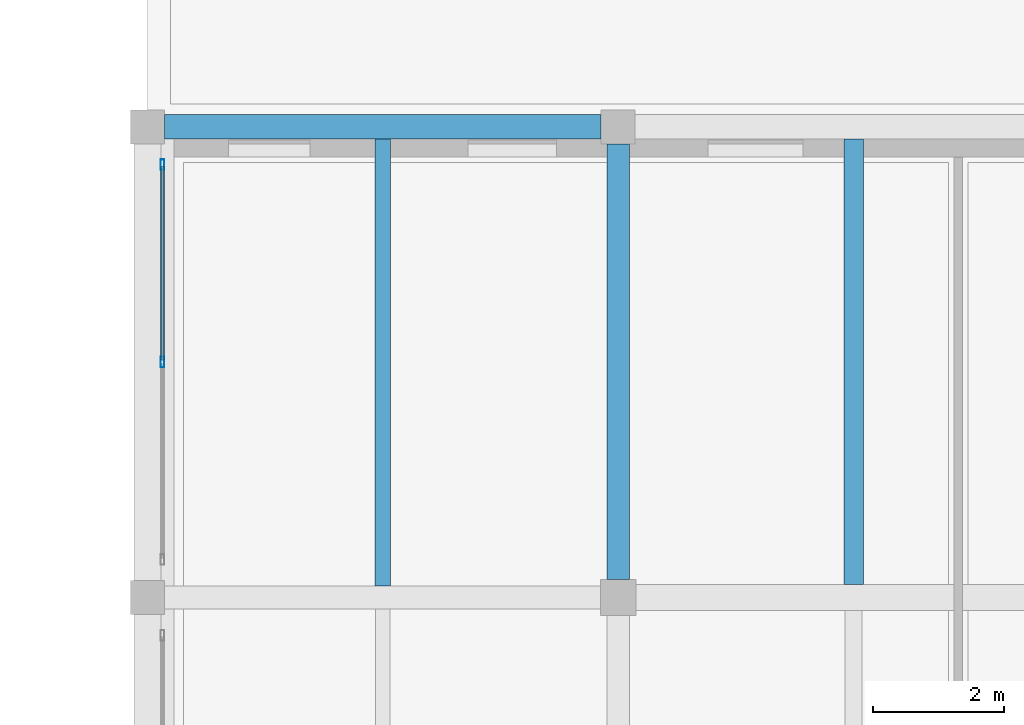
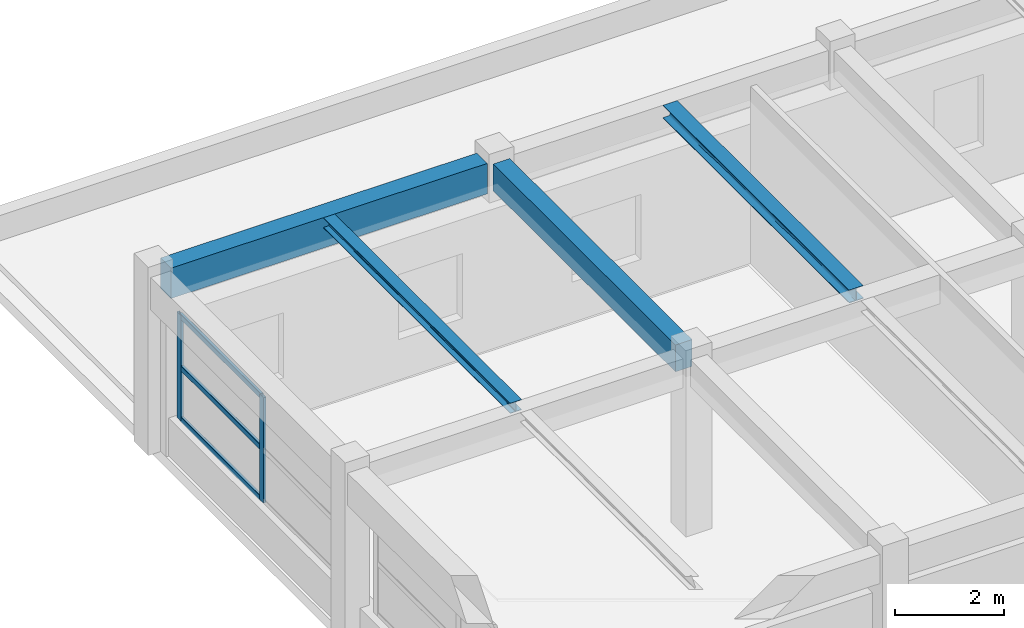
# One storey, part 38 of 67: 5 members, 4 beams, 1 element without a shape of its own.
"""IFC4 building model written with IfcOpenShell, lengths in metres."""

from ifc_helpers import new_model, si_unit, direction, frame, origin, origin_2d, place, context, subcontext, project, spatial, rectangle, hollow_rectangle, i_section, extrude, material, material_profile, profile_set, type_object, element, aggregate, save


model = new_model("IFC4")

# Units and contexts
model_context = context("Model", 3, precision=1e-05, world=origin(), true_north=direction((0.0, 1.0)))
body_context = subcontext(model_context, "Body", "Model", "MODEL_VIEW")
ifc_project = project(units=[si_unit("LENGTHUNIT", "METRE"), si_unit("AREAUNIT", "SQUARE_METRE"), si_unit("VOLUMEUNIT", "CUBIC_METRE"), si_unit("PLANEANGLEUNIT", "RADIAN"), si_unit("MASSUNIT", "GRAM", prefix="KILO")], contexts=[model_context])

# Site, building, storey
site_placement = place(None, origin())
site = spatial("IfcSite", under=ifc_project, at=site_placement, CompositionType="ELEMENT")
building_placement = place(site_placement, origin())
building = spatial("IfcBuilding", under=site, at=building_placement, Name="Bramveld Media Centre", CompositionType="ELEMENT")
storey_placement = place(building_placement, frame((0.0, 0.0, 5.39990234375)))
storey = spatial("IfcBuildingStorey", under=building, at=storey_placement, Name="L01", CompositionType="ELEMENT", Elevation=5.39990234375)

# Beam
ifc_material_1 = material(Name="Concrete C40/50", Category="concrete")
ifc_material_profile_1 = material_profile(ifc_material_1, rectangle(XDim=0.35009765625, YDim=0.60009765625, at=origin_2d()), Name="RC 350x600")
ifc_profile_set_1 = profile_set([ifc_material_profile_1], Name="Concrete C40/50")
beam_type_1 = type_object("IfcBeamType", Name="BM-INT-RC-350x600", PredefinedType="BEAM", material=ifc_profile_set_1)
beam_1_placement = place(storey_placement, frame((138.39990234375, 53.875, 3.66015625), z_axis=(0.0, 1.0, 0.0), x_axis=(-1.0, 0.0, 0.0)))
element("IfcBeam", 1, at=beam_1_placement, inside=storey, type_object=beam_type_1, Name="V4 L01 girder Y-541", PredefinedType="BEAM", context=body_context, shape_type="SweptSolid", body=[
    extrude(rectangle(XDim=0.35009765625, YDim=0.60009765625, at=origin_2d()), origin(), (0.0, 0.0, 1.0), 6.6650390625),
])

# Curtain wall, members
ifc_material_2 = material(Name="Thermally broken anodized bronze aluminium unitized curtain wall with solar-control triple glazing", Category="aluminium")
curtain_wall_type = type_object("IfcCurtainWallType", Name="CW-FACV4-6100x2350", PredefinedType="NOTDEFINED", material=ifc_material_2)
curtain_wall_placement = place(storey_placement, origin())
curtain_wall = element("IfcCurtainWall", 2, at=curtain_wall_placement, inside=storey, type_object=curtain_wall_type, Name="V4 L01 W curtain wall bay 3", PredefinedType="NOTDEFINED")
ifc_material_3 = material(Name="Thermally broken anodized bronze aluminium EN AW-6063 T6 curtain-wall framing", Category="aluminium")
ifc_material_profile_2 = material_profile(ifc_material_3, hollow_rectangle(XDim=0.06005859375, YDim=0.159912109375, WallThickness=0.00390625, InnerFilletRadius=0.00390625, OuterFilletRadius=0.008056640625, at=origin_2d()), Name="AL-MULL 60x160")
ifc_profile_set_2 = profile_set([ifc_material_profile_2], Name="Thermally broken anodized bronze aluminium EN AW-6063 T6 curtain-wall framing")
member_type_1 = type_object("IfcMemberType", Name="CW-MULL-EXT", PredefinedType="MULLION", material=ifc_profile_set_2)
member_1_placement = place(storey_placement, frame((131.429931640625, 57.199951171875, 0.85009765625), z_axis=(0.0, 0.0, 1.0), x_axis=(-1.0, 0.0, 0.0)))
member_1 = element("IfcMember", 3, at=member_1_placement, type_object=member_type_1, Name="CW-FA-6123 mullion 2", PredefinedType="MULLION", context=body_context, shape_type="SweptSolid", body=[
    extrude(hollow_rectangle(XDim=0.06005859375, YDim=0.159912109375, WallThickness=0.00390625, InnerFilletRadius=0.00390625, OuterFilletRadius=0.008056640625, at=origin_2d()), origin(), (0.0, 0.0, 1.0), 2.35009765625),
])
member_2_placement = place(storey_placement, frame((131.429931640625, 60.219970703125, 0.85009765625), z_axis=(0.0, 0.0, 1.0), x_axis=(-1.0, 0.0, 0.0)))
member_2 = element("IfcMember", 4, at=member_2_placement, type_object=member_type_1, Name="CW-FA-6123 mullion 3", PredefinedType="MULLION", context=body_context, shape_type="SweptSolid", body=[
    extrude(hollow_rectangle(XDim=0.06005859375, YDim=0.159912109375, WallThickness=0.00390625, InnerFilletRadius=0.00390625, OuterFilletRadius=0.008056640625, at=origin_2d()), origin(), (0.0, 0.0, 1.0), 2.35009765625),
])
ifc_material_4 = material(Name="Thermally broken anodized bronze aluminium EN AW-6063 T6 curtain-wall framing", Category="aluminium")
ifc_material_profile_3 = material_profile(ifc_material_4, hollow_rectangle(XDim=0.06005859375, YDim=0.1201171875, WallThickness=0.00341796875, InnerFilletRadius=0.00341796875, OuterFilletRadius=0.007080078125, at=origin_2d()), Name="AL-TRAN 60x120")
ifc_profile_set_3 = profile_set([ifc_material_profile_3], Name="Thermally broken anodized bronze aluminium EN AW-6063 T6 curtain-wall framing")
member_type_2 = type_object("IfcMemberType", Name="CW-TRAN-EXT", PredefinedType="USERDEFINED", material=ifc_profile_set_3)
member_3_placement = place(storey_placement, frame((131.429931640625, 57.22998046875, 0.880126953125), z_axis=(0.0, 1.0, 0.0), x_axis=(-1.0, 0.0, 0.0)))
member_3 = element("IfcMember", 5, at=member_3_placement, type_object=member_type_2, Name="CW-FA-6123 transom 2.1", ObjectType="TRANSOM", PredefinedType="USERDEFINED", context=body_context, shape_type="SweptSolid", body=[
    extrude(hollow_rectangle(XDim=0.06005859375, YDim=0.1201171875, WallThickness=0.00341796875, InnerFilletRadius=0.00341796875, OuterFilletRadius=0.007080078125, at=origin_2d()), origin(), (0.0, 0.0, 1.0), 2.9599609375),
])
member_4_placement = place(storey_placement, frame((131.429931640625, 57.22998046875, 2.025146484375), z_axis=(0.0, 1.0, 0.0), x_axis=(-1.0, 0.0, 0.0)))
member_4 = element("IfcMember", 6, at=member_4_placement, type_object=member_type_2, Name="CW-FA-6123 transom 2.2", ObjectType="TRANSOM", PredefinedType="USERDEFINED", context=body_context, shape_type="SweptSolid", body=[
    extrude(hollow_rectangle(XDim=0.06005859375, YDim=0.1201171875, WallThickness=0.00341796875, InnerFilletRadius=0.00341796875, OuterFilletRadius=0.007080078125, at=origin_2d()), origin(), (0.0, 0.0, 1.0), 2.9599609375),
])
member_5_placement = place(storey_placement, frame((131.429931640625, 57.22998046875, 3.170166015625), z_axis=(0.0, 1.0, 0.0), x_axis=(-1.0, 0.0, 0.0)))
member_5 = element("IfcMember", 7, at=member_5_placement, type_object=member_type_2, Name="CW-FA-6123 transom 2.3", ObjectType="TRANSOM", PredefinedType="USERDEFINED", context=body_context, shape_type="SweptSolid", body=[
    extrude(hollow_rectangle(XDim=0.06005859375, YDim=0.1201171875, WallThickness=0.00341796875, InnerFilletRadius=0.00341796875, OuterFilletRadius=0.007080078125, at=origin_2d()), origin(), (0.0, 0.0, 1.0), 2.9599609375),
])
aggregate(curtain_wall, [member_1, member_2, member_3, member_4, member_5])

# Beams
ifc_material_5 = material(Name="Steel S355J2", Category="steel")
ifc_material_profile_4 = material_profile(ifc_material_5, i_section(OverallWidth=0.239990234375, OverallDepth=0.22998046875, WebThickness=0.007568359375, FlangeThickness=0.011962890625, FilletRadius=0.02099609375, at=origin_2d()), Name="HEA 240")
ifc_profile_set_4 = profile_set([ifc_material_profile_4], Name="Steel S355J2")
beam_type_2 = type_object("IfcBeamType", Name="SBM-INT-HEA-240", PredefinedType="BEAM", material=ifc_profile_set_4)
beam_2_placement = place(storey_placement, frame((134.800048828125, 53.77490234375, 3.84521484375), z_axis=(0.0, 1.0, 0.0), x_axis=(-1.0, 0.0, 0.0)))
element("IfcBeam", 8, at=beam_2_placement, inside=storey, type_object=beam_type_2, Name="V4 L01 secondary floor joist 554", PredefinedType="BEAM", context=body_context, shape_type="SweptSolid", body=[
    extrude(i_section(OverallWidth=0.239990234375, OverallDepth=0.22998046875, WebThickness=0.007568359375, FlangeThickness=0.011962890625, FilletRadius=0.02099609375, at=origin_2d()), origin(), (0.0, 0.0, 1.0), 6.835205078125),
])
ifc_material_6 = material(Name="Steel S355J2", Category="steel")
ifc_material_profile_5 = material_profile(ifc_material_6, i_section(OverallWidth=0.300048828125, OverallDepth=0.2900390625, WebThickness=0.008544921875, FlangeThickness=0.013916015625, FilletRadius=0.027099609375, at=origin_2d()), Name="HEA 300")
ifc_profile_set_5 = profile_set([ifc_material_profile_5], Name="Steel S355J2")
beam_type_3 = type_object("IfcBeamType", Name="SBM-INT-HEA-300", PredefinedType="BEAM", material=ifc_profile_set_5)
beam_3_placement = place(storey_placement, frame((142.0, 53.800048828125, 3.815185546875), z_axis=(0.0, 1.0, 0.0), x_axis=(-1.0, 0.0, 0.0)))
element("IfcBeam", 9, at=beam_3_placement, inside=storey, type_object=beam_type_3, Name="V4 L01 secondary floor joist 556", PredefinedType="BEAM", context=body_context, shape_type="SweptSolid", body=[
    extrude(i_section(OverallWidth=0.300048828125, OverallDepth=0.2900390625, WebThickness=0.008544921875, FlangeThickness=0.013916015625, FilletRadius=0.027099609375, at=origin_2d()), origin(), (0.0, 0.0, 1.0), 6.81005859375),
])
ifc_material_7 = material(Name="Concrete C40/50", Category="concrete")
ifc_material_profile_6 = material_profile(ifc_material_7, rectangle(XDim=0.3798828125, YDim=0.679931640625, at=origin_2d()), Name="RC 380x680")
ifc_profile_set_6 = profile_set([ifc_material_profile_6], Name="Concrete C40/50")
beam_type_4 = type_object("IfcBeamType", Name="SPANDREL-EXT-RC-380x680", PredefinedType="SPANDREL", material=ifc_profile_set_6)
beam_4_placement = place(storey_placement, frame((131.4599609375, 60.800048828125, 3.6201171875), z_axis=(1.0, 0.0, 0.0), x_axis=(0.0, 1.0, 0.0)))
element("IfcBeam", 10, at=beam_4_placement, inside=storey, type_object=beam_type_4, Name="V4 L01 girder X-532", PredefinedType="SPANDREL", context=body_context, shape_type="SweptSolid", body=[
    extrude(rectangle(XDim=0.3798828125, YDim=0.679931640625, at=origin_2d()), origin(), (0.0, 0.0, 1.0), 6.679931640625),
])

save(model, "model.ifc")
